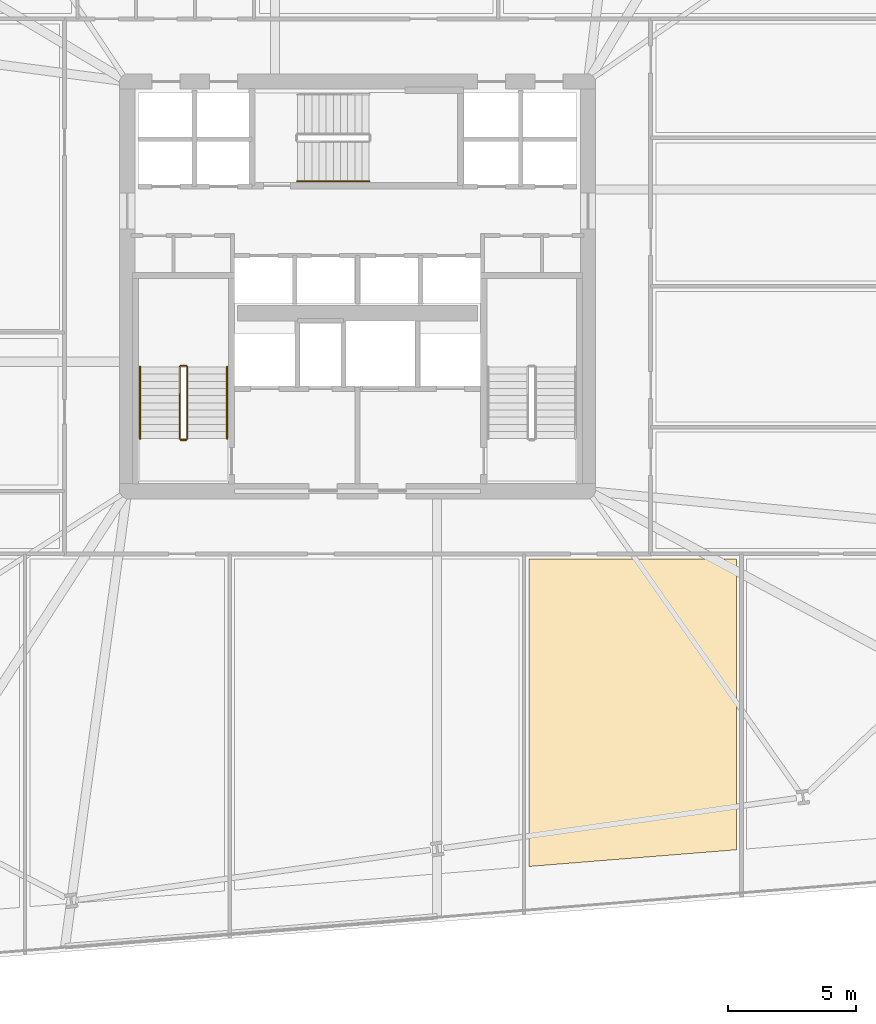
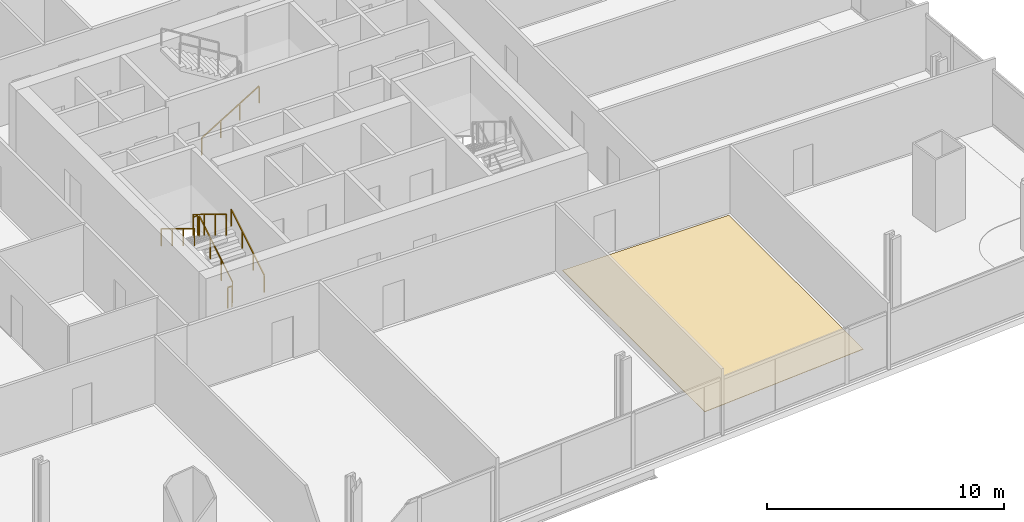
# One storey, part 30 of 33: 7 railings, 1 covering.
"""IFC4 building model written with IfcOpenShell, lengths in metres."""

from ifc_helpers import new_model, si_unit, direction, frame, origin, origin_2d, place, context, subcontext, project, spatial, polyline, rectangle, outline, extrude, material, layer, layer_set, type_object, element, save


model = new_model("IFC4")

# Units and contexts
model_context = context("Model", 3, precision=1e-05, world=origin(), true_north=direction((0.0, 1.0)))
body_context = subcontext(model_context, "Body", "Model", "MODEL_VIEW")
ifc_project = project(units=[si_unit("LENGTHUNIT", "METRE"), si_unit("AREAUNIT", "SQUARE_METRE"), si_unit("VOLUMEUNIT", "CUBIC_METRE"), si_unit("PLANEANGLEUNIT", "RADIAN"), si_unit("MASSUNIT", "GRAM", prefix="KILO")], contexts=[model_context])

# Site, building, storey
site_placement = place(None, origin())
site = spatial("IfcSite", under=ifc_project, at=site_placement, CompositionType="ELEMENT")
building_placement = place(site_placement, origin())
building = spatial("IfcBuilding", under=site, at=building_placement, Name="Haldenkirk Collegiate Tower", CompositionType="ELEMENT")
storey_placement = place(building_placement, frame((0.0, 0.0, 43.949951171875)))
storey = spatial("IfcBuildingStorey", under=building, at=storey_placement, Name="L09", CompositionType="ELEMENT", Elevation=43.949951171875)

# Covering
ifc_material_1 = material(Name="Engineered collegiate oak acoustic flooring", Category="wood")
ifc_layer = layer(ifc_material_1, 0.02197265625)
ifc_layer_set = layer_set([ifc_layer], Name="Engineered collegiate oak acoustic flooring")
covering_type = type_object("IfcCoveringType", Name="COV-FLOOR-TIMBER", PredefinedType="FLOORING", material=ifc_layer_set)
covering_placement = place(storey_placement, origin())
element("IfcCovering", 1, at=covering_placement, inside=storey, type_object=covering_type, Name="L09 academic room finish 05", PredefinedType="FLOORING", context=body_context, shape_type="SweptSolid", body=[
    extrude(outline(polyline([(42.699951171875, 3.334228515625), (42.699951171875, 15.35009765625), (50.800048828125, 15.35009765625), (50.800048828125, 3.986083984375), (42.699951171875, 3.334228515625)])), origin(), (0.0, 0.0, 1.0), 0.02197265625),
])

# Railings
ifc_material_2 = material(Name="Painted architectural tubular steel", Category="steel")
railing_type_1 = type_object("IfcRailingType", Name="RLG-STAIR-GUARD-1100", PredefinedType="BALUSTRADE", material=ifc_material_2)
railing_1_placement = place(storey_placement, frame((29.35009765625, 20.050048828125, 0.17041015625)))
element("IfcRailing", 2, at=railing_1_placement, inside=storey, type_object=railing_type_1, Name="L09 ST-1 stair guard 1", PredefinedType="BALUSTRADE", context=body_context, shape_type="SweptSolid", body=[
    extrude(rectangle(XDim=0.048095703125, YDim=0.048095703125, at=origin_2d()), frame((0.0, 0.0, 1.076171875), z_axis=(0.0, 0.854169791009, 0.51999420009), x_axis=(-1.0, 0.0, 0.0)), (0.0, 0.0, 1.0), 3.278076171875),
    extrude(rectangle(XDim=0.0419921875, YDim=0.0419921875, at=origin_2d()), origin(), (0.0, 0.0, 1.0), 1.052001953125),
    extrude(rectangle(XDim=0.0419921875, YDim=0.0419921875, at=origin_2d()), frame((0.0, 0.933349609375, 0.568115234375)), (0.0, 0.0, 1.0), 1.052001953125),
    extrude(rectangle(XDim=0.0419921875, YDim=0.0419921875, at=origin_2d()), frame((0.0, 1.86669921875, 1.136474609375)), (0.0, 0.0, 1.0), 1.052001953125),
    extrude(rectangle(XDim=0.0419921875, YDim=0.0419921875, at=origin_2d()), frame((0.0, 2.800048828125, 1.70458984375)), (0.0, 0.0, 1.0), 1.052001953125),
])
railing_2_placement = place(storey_placement, frame((29.300048828125, 22.89990234375, 1.875)))
element("IfcRailing", 3, at=railing_2_placement, inside=storey, type_object=railing_type_1, Name="L09 ST-1 stair guard 2", PredefinedType="BALUSTRADE", context=body_context, shape_type="SweptSolid", body=[
    extrude(rectangle(XDim=0.048095703125, YDim=0.048095703125, at=origin_2d()), frame((0.0, 0.0, 1.076171875), z_axis=(-1.0, 0.0, 0.0), x_axis=(0.0, -1.0, 0.0)), (0.0, 0.0, 1.0), 0.199951171875),
    extrude(rectangle(XDim=0.0419921875, YDim=0.0419921875, at=origin_2d()), origin(), (0.0, 0.0, 1.0), 1.052001953125),
    extrude(rectangle(XDim=0.0419921875, YDim=0.0419921875, at=origin_2d()), frame((-0.199951171875, 0.0, 0.0)), (0.0, 0.0, 1.0), 1.052001953125),
])
railing_3_placement = place(storey_placement, frame((29.050048828125, 22.85009765625, 2.04541015625)))
element("IfcRailing", 4, at=railing_3_placement, inside=storey, type_object=railing_type_1, Name="L09 ST-1 stair guard 3", PredefinedType="BALUSTRADE", context=body_context, shape_type="SweptSolid", body=[
    extrude(rectangle(XDim=0.048095703125, YDim=0.048095703125, at=origin_2d()), frame((0.0, 0.0, 1.076171875), z_axis=(0.0, -0.854169791009, 0.51999420009), x_axis=(1.0, 0.0, 0.0)), (0.0, 0.0, 1.0), 3.278076171875),
    extrude(rectangle(XDim=0.0419921875, YDim=0.0419921875, at=origin_2d()), origin(), (0.0, 0.0, 1.0), 1.052001953125),
    extrude(rectangle(XDim=0.0419921875, YDim=0.0419921875, at=origin_2d()), frame((0.0, -0.933349609375, 0.568115234375)), (0.0, 0.0, 1.0), 1.052001953125),
    extrude(rectangle(XDim=0.0419921875, YDim=0.0419921875, at=origin_2d()), frame((0.0, -1.86669921875, 1.136474609375)), (0.0, 0.0, 1.0), 1.052001953125),
    extrude(rectangle(XDim=0.0419921875, YDim=0.0419921875, at=origin_2d()), frame((0.0, -2.800048828125, 1.70458984375)), (0.0, 0.0, 1.0), 1.052001953125),
])
railing_4_placement = place(storey_placement, frame((29.300048828125, 20.0, 0.0)))
element("IfcRailing", 5, at=railing_4_placement, inside=storey, type_object=railing_type_1, Name="L09 ST-1 stair guard 4", PredefinedType="BALUSTRADE", context=body_context, shape_type="SweptSolid", body=[
    extrude(rectangle(XDim=0.048095703125, YDim=0.048095703125, at=origin_2d()), frame((0.0, 0.0, 1.076171875), z_axis=(-1.0, 0.0, 0.0), x_axis=(0.0, -1.0, 0.0)), (0.0, 0.0, 1.0), 0.199951171875),
    extrude(rectangle(XDim=0.0419921875, YDim=0.0419921875, at=origin_2d()), origin(), (0.0, 0.0, 1.0), 1.052001953125),
    extrude(rectangle(XDim=0.0419921875, YDim=0.0419921875, at=origin_2d()), frame((-0.199951171875, 0.0, 0.0)), (0.0, 0.0, 1.0), 1.052001953125),
])
railing_type_2 = type_object("IfcRailingType", Name="RLG-STAIR-HANDRAIL-900", PredefinedType="HANDRAIL", material=ifc_material_2)
railing_5_placement = place(storey_placement, frame((30.89990234375, 20.050048828125, 0.17041015625)))
element("IfcRailing", 6, at=railing_5_placement, inside=storey, type_object=railing_type_2, Name="L09 ST-1 stair handrail 1", PredefinedType="HANDRAIL", context=body_context, shape_type="SweptSolid", body=[
    extrude(rectangle(XDim=0.048095703125, YDim=0.048095703125, at=origin_2d()), frame((0.0, 0.0, 0.8759765625), z_axis=(0.0, 0.854169791009, 0.51999420009), x_axis=(-1.0, 0.0, 0.0)), (0.0, 0.0, 1.0), 3.278076171875),
    extrude(rectangle(XDim=0.0419921875, YDim=0.0419921875, at=origin_2d()), origin(), (0.0, 0.0, 1.0), 0.851806640625),
    extrude(rectangle(XDim=0.0419921875, YDim=0.0419921875, at=origin_2d()), frame((0.0, 0.933349609375, 0.568115234375)), (0.0, 0.0, 1.0), 0.851806640625),
    extrude(rectangle(XDim=0.0419921875, YDim=0.0419921875, at=origin_2d()), frame((0.0, 1.86669921875, 1.136474609375)), (0.0, 0.0, 1.0), 0.851806640625),
    extrude(rectangle(XDim=0.0419921875, YDim=0.0419921875, at=origin_2d()), frame((0.0, 2.800048828125, 1.70458984375)), (0.0, 0.0, 1.0), 0.851806640625),
])
railing_6_placement = place(storey_placement, frame((27.5, 22.85009765625, 2.04541015625)))
element("IfcRailing", 7, at=railing_6_placement, inside=storey, type_object=railing_type_2, Name="L09 ST-1 stair handrail 2", PredefinedType="HANDRAIL", context=body_context, shape_type="SweptSolid", body=[
    extrude(rectangle(XDim=0.048095703125, YDim=0.048095703125, at=origin_2d()), frame((0.0, 0.0, 0.8759765625), z_axis=(0.0, -0.854169791009, 0.51999420009), x_axis=(1.0, 0.0, 0.0)), (0.0, 0.0, 1.0), 3.278076171875),
    extrude(rectangle(XDim=0.0419921875, YDim=0.0419921875, at=origin_2d()), origin(), (0.0, 0.0, 1.0), 0.851806640625),
    extrude(rectangle(XDim=0.0419921875, YDim=0.0419921875, at=origin_2d()), frame((0.0, -0.933349609375, 0.568115234375)), (0.0, 0.0, 1.0), 0.851806640625),
    extrude(rectangle(XDim=0.0419921875, YDim=0.0419921875, at=origin_2d()), frame((0.0, -1.86669921875, 1.136474609375)), (0.0, 0.0, 1.0), 0.851806640625),
    extrude(rectangle(XDim=0.0419921875, YDim=0.0419921875, at=origin_2d()), frame((0.0, -2.800048828125, 1.70458984375)), (0.0, 0.0, 1.0), 0.851806640625),
])
railing_7_placement = place(storey_placement, frame((33.64990234375, 30.10009765625, 0.17041015625)))
element("IfcRailing", 8, at=railing_7_placement, inside=storey, type_object=railing_type_2, Name="L09 ST-3 stair handrail 1", PredefinedType="HANDRAIL", context=body_context, shape_type="SweptSolid", body=[
    extrude(rectangle(XDim=0.048095703125, YDim=0.048095703125, at=origin_2d()), frame((0.0, 0.0, 0.8759765625), z_axis=(0.854169791009, 0.0, 0.51999420009), x_axis=(0.0, 1.0, 0.0)), (0.0, 0.0, 1.0), 3.278076171875),
    extrude(rectangle(XDim=0.0419921875, YDim=0.0419921875, at=origin_2d()), origin(), (0.0, 0.0, 1.0), 0.851806640625),
    extrude(rectangle(XDim=0.0419921875, YDim=0.0419921875, at=origin_2d()), frame((0.933349609375, 0.0, 0.568115234375)), (0.0, 0.0, 1.0), 0.851806640625),
    extrude(rectangle(XDim=0.0419921875, YDim=0.0419921875, at=origin_2d()), frame((1.86669921875, 0.0, 1.136474609375)), (0.0, 0.0, 1.0), 0.851806640625),
    extrude(rectangle(XDim=0.0419921875, YDim=0.0419921875, at=origin_2d()), frame((2.800048828125, 0.0, 1.70458984375)), (0.0, 0.0, 1.0), 0.851806640625),
])

save(model, "model.ifc")
